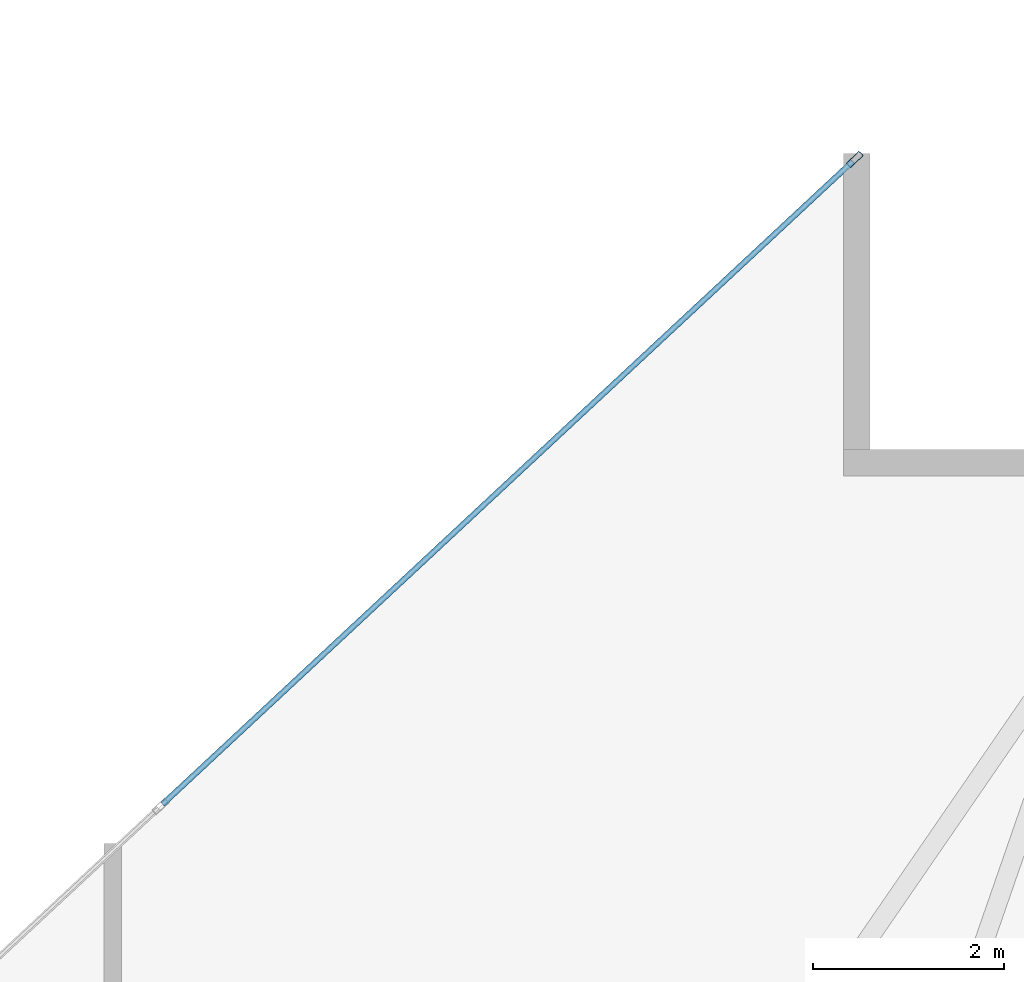
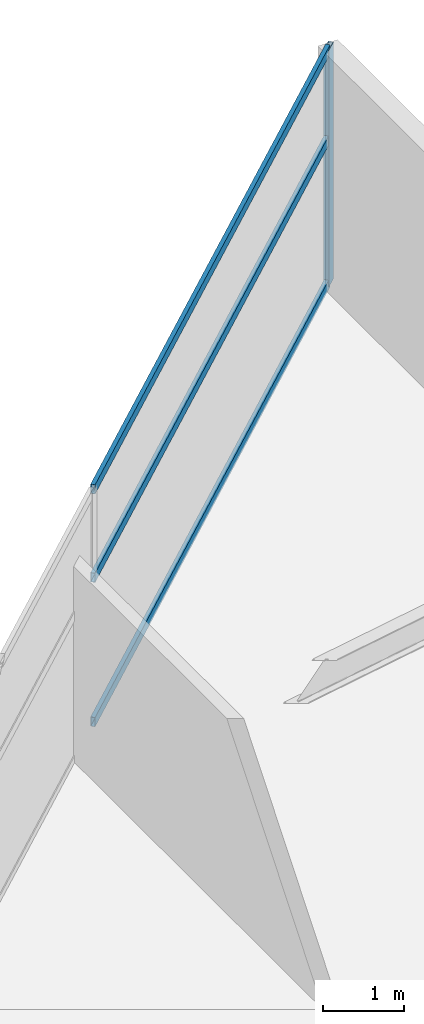
# One storey, part 20 of 27: 4 members, 1 element without a shape of its own.
"""IFC4 building model written with IfcOpenShell, lengths in metres."""

from ifc_helpers import new_model, si_unit, direction, frame, origin, origin_2d, place, context, subcontext, project, spatial, hollow_rectangle, extrude, material, layer, layer_set, material_profile, profile_set, type_object, element, aggregate, save


model = new_model("IFC4")

# Units and contexts
model_context = context("Model", 3, precision=1e-05, world=origin(), true_north=direction((0.0, 1.0)))
body_context = subcontext(model_context, "Body", "Model", "MODEL_VIEW")
ifc_project = project(units=[si_unit("LENGTHUNIT", "METRE"), si_unit("AREAUNIT", "SQUARE_METRE"), si_unit("VOLUMEUNIT", "CUBIC_METRE"), si_unit("PLANEANGLEUNIT", "RADIAN"), si_unit("MASSUNIT", "GRAM", prefix="KILO")], contexts=[model_context])

# Site, building, storey
site_placement = place(None, origin())
site = spatial("IfcSite", under=ifc_project, at=site_placement, CompositionType="ELEMENT")
building_placement = place(site_placement, origin())
building = spatial("IfcBuilding", under=site, at=building_placement, Name="Calvorn Quay Hotel", CompositionType="ELEMENT")
storey_placement = place(building_placement, frame((0.0, 0.0, 223.10009765625)))
storey = spatial("IfcBuildingStorey", under=building, at=storey_placement, Name="L55", CompositionType="ELEMENT", Elevation=223.10009765625)

# Curtain wall, members
ifc_material_1 = material(Name="Champagne Bronze Anodised Aluminium and Low-E Glass", Category="aluminium")
ifc_layer = layer(ifc_material_1, 0.219970703125)
ifc_layer_set = layer_set([ifc_layer], Name="CW-SYS-Z3")
curtain_wall_type = type_object("IfcCurtainWallType", Name="CW-SYS-Z3", PredefinedType="NOTDEFINED", material=ifc_layer_set)
curtain_wall_placement = place(storey_placement, origin())
curtain_wall = element("IfcCurtainWall", 1, at=curtain_wall_placement, inside=storey, type_object=curtain_wall_type, Name="Inner Court Curtain Wall L55-NE1", PredefinedType="NOTDEFINED")
ifc_material_2 = material(Name="Champagne Bronze Anodised Aluminium 6063-T6", Category="aluminium")
ifc_material_profile_1 = material_profile(ifc_material_2, hollow_rectangle(XDim=0.068115234375, YDim=0.18505859375, WallThickness=0.00390625, at=origin_2d()), Name="ALU-M185x68x4")
ifc_profile_set_1 = profile_set([ifc_material_profile_1], Name="Champagne Bronze Anodised Aluminium 6063-T6")
member_type_1 = type_object("IfcMemberType", Name="CW-SYS-Z3-MUL", PredefinedType="MULLION", material=ifc_profile_set_1)
member_1_placement = place(storey_placement, frame((36.177978515625, 37.9794921875, 0.0), z_axis=(0.0, 0.0, 1.0), x_axis=(0.681603655102, -0.731721570922, 0.0)))
member_1 = element("IfcMember", 2, at=member_1_placement, type_object=member_type_1, Name="CW-L55-NE1 mullion 1", PredefinedType="MULLION", context=body_context, shape_type="SweptSolid", body=[
    extrude(hollow_rectangle(XDim=0.068115234375, YDim=0.18505859375, WallThickness=0.00390625, at=origin_2d()), origin(), (0.0, 0.0, 1.0), 3.559814453125),
])
ifc_material_3 = material(Name="Champagne Bronze Anodised Aluminium 6063-T6", Category="aluminium")
ifc_material_profile_2 = material_profile(ifc_material_3, hollow_rectangle(XDim=0.05810546875, YDim=0.139892578125, WallThickness=0.003173828125, at=origin_2d()), Name="ALU-T140x58x3.2")
ifc_profile_set_2 = profile_set([ifc_material_profile_2], Name="Champagne Bronze Anodised Aluminium 6063-T6")
member_type_2 = type_object("IfcMemberType", Name="CW-SYS-Z3-TRN", PredefinedType="USERDEFINED", material=ifc_profile_set_2)
member_2_placement = place(storey_placement, frame((36.156005859375, 37.958984375, 0.02978515625), z_axis=(-0.731727475975, -0.681597315798, 0.0), x_axis=(0.681597315798, -0.731727475975, 0.0)))
member_2 = element("IfcMember", 3, at=member_2_placement, type_object=member_type_2, Name="CW-L55-NE1 transom 1.1", ObjectType="TRANSOM", PredefinedType="USERDEFINED", context=body_context, shape_type="SweptSolid", body=[
    extrude(hollow_rectangle(XDim=0.05810546875, YDim=0.139892578125, WallThickness=0.003173828125, at=origin_2d()), origin(), (0.0, 0.0, 1.0), 9.886474609375),
])
member_3_placement = place(storey_placement, frame((36.156005859375, 37.958984375, 2.199951171875), z_axis=(-0.731727475975, -0.681597315798, 0.0), x_axis=(0.681597315798, -0.731727475975, 0.0)))
member_3 = element("IfcMember", 4, at=member_3_placement, type_object=member_type_2, Name="CW-L55-NE1 transom 1.2", ObjectType="TRANSOM", PredefinedType="USERDEFINED", context=body_context, shape_type="SweptSolid", body=[
    extrude(hollow_rectangle(XDim=0.05810546875, YDim=0.139892578125, WallThickness=0.003173828125, at=origin_2d()), origin(), (0.0, 0.0, 1.0), 9.886474609375),
])
member_4_placement = place(storey_placement, frame((36.156005859375, 37.958984375, 3.52978515625), z_axis=(-0.731727475975, -0.681597315798, 0.0), x_axis=(0.681597315798, -0.731727475975, 0.0)))
member_4 = element("IfcMember", 5, at=member_4_placement, type_object=member_type_2, Name="CW-L55-NE1 transom 1.3", ObjectType="TRANSOM", PredefinedType="USERDEFINED", context=body_context, shape_type="SweptSolid", body=[
    extrude(hollow_rectangle(XDim=0.05810546875, YDim=0.139892578125, WallThickness=0.003173828125, at=origin_2d()), origin(), (0.0, 0.0, 1.0), 9.886474609375),
])
aggregate(curtain_wall, [member_1, member_2, member_3, member_4])

save(model, "model.ifc")
